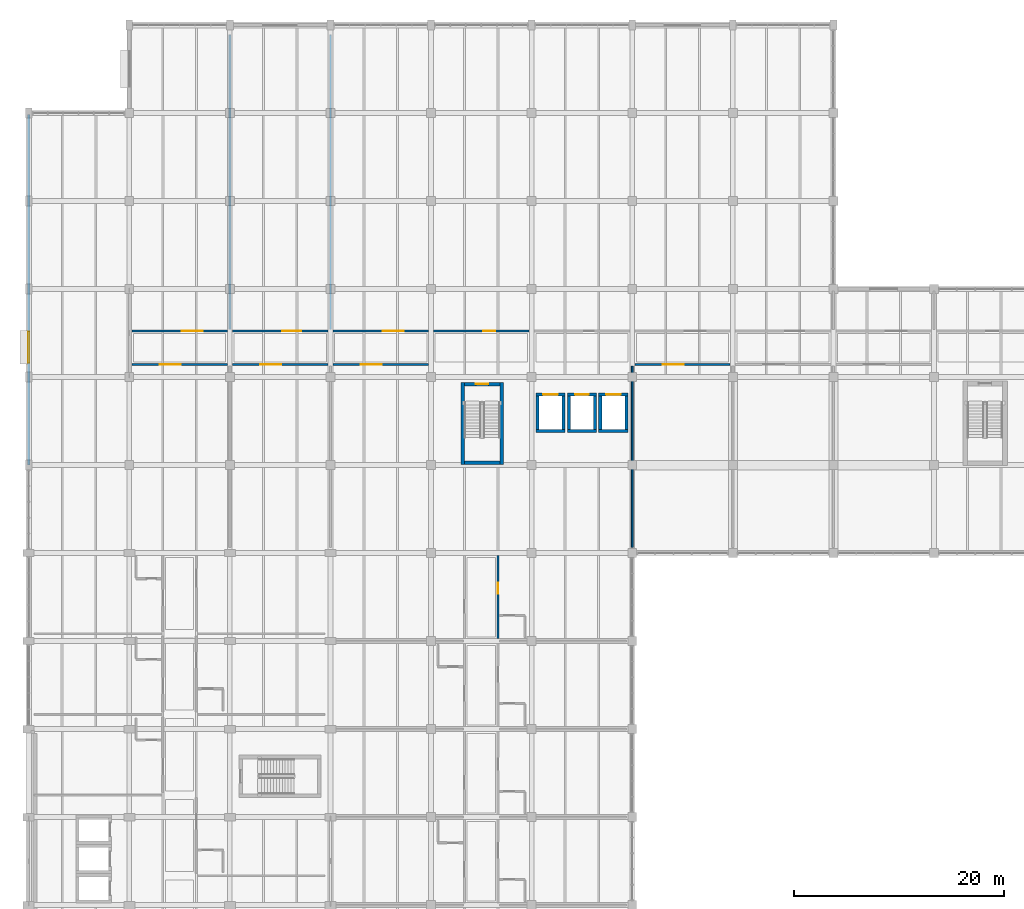
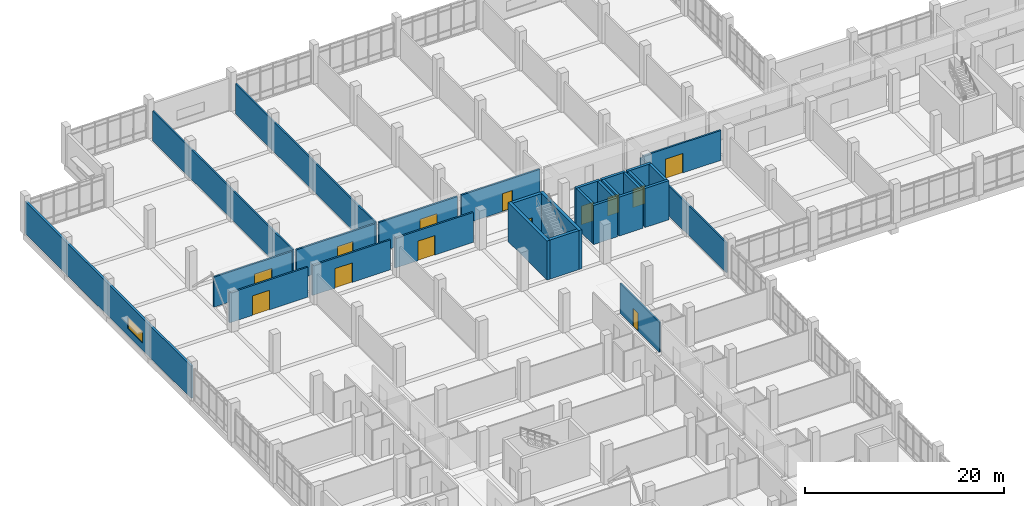
# One storey, part 123 of 152: 29 walls, 13 doors, 1 window, 14 openings.
"""IFC4 building model written with IfcOpenShell, lengths in metres."""

import ifcopenshell
import ifcopenshell.guid

model = None  # the IFC model being written
_history = None  # IfcOwnerHistory: only IFC2X3 demands one
_inside = {}  # id of a spatial element -> (the spatial element, [elements in it])
_under = {}  # id of a project, library or spatial element -> (it, [spatial elements below it])
_declared = {}  # id of a project -> (the project, [libraries it declares])
_typed = {}  # id of a type object -> (the type object, [elements of that type])
_made_of = {}  # id of a material, layer set ... -> (it, [elements and type objects made of it])


def new_model(schema):
    """Start an empty IFC model of exactly this schema.

    Asked for "IFC4X3", IfcOpenShell would pick the latest addendum, in which some entities
    have other attributes; the version numbers below select the first issue.
    IFC2X3 requires an IfcOwnerHistory on every rooted entity: one is made here for all.
    """
    global model, _history
    if schema == "IFC4X3":
        model = ifcopenshell.file(schema_version=(4, 3, 0, 0))
    else:
        model = ifcopenshell.file(schema=schema)
    _inside.clear()
    _under.clear()
    _declared.clear()
    _typed.clear()
    _made_of.clear()
    _history = None
    if model.schema == "IFC2X3":
        org = make("IfcOrganization", Name="unknown")
        user = make(
            "IfcPersonAndOrganization",
            ThePerson=make("IfcPerson", FamilyName="unknown"),
            TheOrganization=org,
        )
        app = make(
            "IfcApplication",
            ApplicationDeveloper=org,
            Version="unknown",
            ApplicationFullName="unknown",
            ApplicationIdentifier="unknown",
        )
        _history = make(
            "IfcOwnerHistory",
            OwningUser=user,
            OwningApplication=app,
            ChangeAction="ADDED",
            CreationDate=0,
        )
    return model


def make(cls, **values):
    """One entity of the class cls with the attributes given. An attribute that is None is left unset."""
    return model.create_entity(
        cls, **{name: value for name, value in values.items() if value is not None}
    )


def rooted(cls, **values):
    """An entity with a GlobalId (a new one), such as an element, a storey or a relation."""
    return make(cls, GlobalId=ifcopenshell.guid.new(), OwnerHistory=_history, **values)


def si_unit(unit_type, name, prefix=None):
    """IfcSIUnit, for example si_unit("LENGTHUNIT", "METRE", prefix="MILLI")."""
    return make("IfcSIUnit", UnitType=unit_type, Prefix=prefix, Name=name)


def assignment(units):
    """IfcUnitAssignment: the units of a project."""
    return None if units is None else make("IfcUnitAssignment", Units=units)


def point(xyz):
    """IfcCartesianPoint."""
    return None if xyz is None else make("IfcCartesianPoint", Coordinates=xyz)


def direction(xyz):
    """IfcDirection."""
    return None if xyz is None else make("IfcDirection", DirectionRatios=xyz)


def frame(location, z_axis=None, x_axis=None):
    """IfcAxis2Placement3D, a coordinate frame: its origin and axes. An axis left out is left unset."""
    return make(
        "IfcAxis2Placement3D",
        Location=point(location),
        Axis=direction(z_axis),
        RefDirection=direction(x_axis),
    )


def frame_2d(location, x_axis=None):
    """IfcAxis2Placement2D, a coordinate frame in the plane: its origin and x axis."""
    return make(
        "IfcAxis2Placement2D", Location=point(location), RefDirection=direction(x_axis)
    )


def origin():
    """The frame at (0, 0, 0) with its axes left unset."""
    return frame((0.0, 0.0, 0.0))


def place(relative_to, where):
    """IfcLocalPlacement: puts the frame where relative to a parent placement (None: the world)."""
    return make(
        "IfcLocalPlacement", PlacementRelTo=relative_to, RelativePlacement=where
    )


def context(
    kind, dimensions, precision=None, world=None, true_north=None, identifier=None
):
    """IfcGeometricRepresentationContext, for example the 3D "Model" context."""
    return make(
        "IfcGeometricRepresentationContext",
        ContextIdentifier=identifier,
        ContextType=kind,
        CoordinateSpaceDimension=dimensions,
        Precision=precision,
        WorldCoordinateSystem=world,
        TrueNorth=true_north,
    )


def subcontext(parent, identifier, kind, view, scale=None):
    """IfcGeometricRepresentationSubContext, for example "Body" below "Model"."""
    return make(
        "IfcGeometricRepresentationSubContext",
        ContextIdentifier=identifier,
        ContextType=kind,
        ParentContext=parent,
        TargetScale=scale,
        TargetView=view,
    )


def project(units=None, contexts=None):
    """IfcProject with its units and contexts."""
    return rooted(
        "IfcProject",
        Name="project",
        RepresentationContexts=contexts,
        UnitsInContext=assignment(units),
    )


def spatial(cls, under=None, at=None, **own):
    """A site, building, storey or space (cls), placed at a placement, below another one or the project."""
    s = rooted(cls, ObjectPlacement=at, **own)
    if under is not None:
        _under.setdefault(under.id(), (under, []))[1].append(s)
    return s


def profile(cls, at=None, kind="AREA", **sizes):
    """A parametric profile (cls). Its sizes go by their IFC names, for example OverallWidth=200.0."""
    return make(cls, ProfileType=kind, Position=at, **sizes)


def rectangle(**sizes):
    """IfcRectangleProfileDef."""
    return profile("IfcRectangleProfileDef", **sizes)


def extrude(swept, where, along, depth):
    """IfcExtrudedAreaSolid: the profile swept, set in the frame where, extruded along a direction by depth."""
    return make(
        "IfcExtrudedAreaSolid",
        SweptArea=swept,
        Position=where,
        ExtrudedDirection=direction(along),
        Depth=depth,
    )


def shape(context_of_items, identifier, shape_type, items):
    """IfcShapeRepresentation: the items that make up one representation, for example the "Body"."""
    return make(
        "IfcShapeRepresentation",
        ContextOfItems=context_of_items,
        RepresentationIdentifier=identifier,
        RepresentationType=shape_type,
        Items=items,
    )


def material(Name=None, Category=None):
    """IfcMaterial."""
    return make("IfcMaterial", Name=Name, Category=Category)


def layer(
    of_material, thickness, ventilated=None, Name=None, Category=None, Priority=None
):
    """IfcMaterialLayer: one layer of a wall or slab, of a material (None: an air gap)."""
    return make(
        "IfcMaterialLayer",
        Material=of_material,
        LayerThickness=thickness,
        IsVentilated=ventilated,
        Name=Name,
        Category=Category,
        Priority=Priority,
    )


def layer_set(layers, Name=None):
    """IfcMaterialLayerSet."""
    return make("IfcMaterialLayerSet", MaterialLayers=layers, LayerSetName=Name)


def made_of(thing, what):
    """Note that an element or type object is made of a material, layer set ...; save() writes the relation."""
    if what is not None:
        _made_of.setdefault(what.id(), (what, []))[1].append(thing)
    return thing


def type_object(cls, material=None, **own):
    """A type object (cls), such as IfcWallType, which elements share."""
    return made_of(rooted(cls, **own), material)


def element(
    cls,
    number,
    at=None,
    inside=None,
    cuts=None,
    type_object=None,
    material=None,
    context=None,
    identifier="Body",
    shape_type=None,
    held_by="IfcProductDefinitionShape",
    body=None,
    shapes=None,
    **own,
):
    """One element of the class cls, such as IfcWall. Its Tag is "e" and its number.

    at: its placement. inside: the storey or other place that contains it. cuts: it is an
    opening in that element (IfcRelVoidsElement). A single representation is given by context,
    identifier, shape_type and body (its items); several are given by shapes. held_by: the class
    of the entity that holds the representations. save() writes the other relations.
    """
    e = rooted(cls, Tag="e%d" % number, ObjectPlacement=at, **own)
    if body is not None:
        shapes = [shape(context, identifier, shape_type, body)]
    if shapes is not None:
        e.Representation = make(held_by, Representations=shapes)
    if inside is not None:
        _inside.setdefault(inside.id(), (inside, []))[1].append(e)
    if cuts is not None:
        rooted(
            "IfcRelVoidsElement", RelatingBuildingElement=cuts, RelatedOpeningElement=e
        )
    if type_object is not None:
        _typed.setdefault(type_object.id(), (type_object, []))[1].append(e)
    return made_of(e, material)


def fill(opening, filler):
    """IfcRelFillsElement: the door or window that sits in an opening."""
    return rooted(
        "IfcRelFillsElement",
        RelatingOpeningElement=opening,
        RelatedBuildingElement=filler,
    )


def aggregate(whole, parts):
    """IfcRelAggregates: a whole, such as a stair, and the parts it consists of."""
    return rooted("IfcRelAggregates", RelatingObject=whole, RelatedObjects=parts)


def save(model, path):
    """Write the relations noted so far, then the file.

    IfcRelAggregates (storeys below a building ...), IfcRelContainedInSpatialStructure (elements
    in a storey), IfcRelDefinesByType, IfcRelAssociatesMaterial and IfcRelDeclares: one each for
    every whole, place, type object, material and project.
    """
    for whole, parts in _under.values():
        aggregate(whole, parts)
    for where, things in _inside.values():
        rooted(
            "IfcRelContainedInSpatialStructure",
            RelatedElements=things,
            RelatingStructure=where,
        )
    for kind, things in _typed.values():
        rooted("IfcRelDefinesByType", RelatedObjects=things, RelatingType=kind)
    for what, things in _made_of.values():
        rooted("IfcRelAssociatesMaterial", RelatedObjects=things, RelatingMaterial=what)
    for by, libraries in _declared.values():
        rooted("IfcRelDeclares", RelatingContext=by, RelatedDefinitions=libraries)
    model.write(path)


model = new_model("IFC4")

# Units and contexts
model_context = context("Model", 3, precision=1e-05, world=origin(), true_north=direction((0.0, 1.0)))
body_context = subcontext(model_context, "Body", "Model", "MODEL_VIEW")
ifc_project = project(units=[si_unit("LENGTHUNIT", "METRE"), si_unit("AREAUNIT", "SQUARE_METRE"), si_unit("VOLUMEUNIT", "CUBIC_METRE"), si_unit("PLANEANGLEUNIT", "RADIAN"), si_unit("MASSUNIT", "GRAM", prefix="KILO")], contexts=[model_context])

# Site, building, storey
site_placement = place(None, origin())
site = spatial("IfcSite", under=ifc_project, at=site_placement, CompositionType="ELEMENT")
building_placement = place(site_placement, origin())
building = spatial("IfcBuilding", under=site, at=building_placement, Name="Oolite Switchyard Hospital", CompositionType="ELEMENT")
storey_placement = place(building_placement, frame((0.0, 0.0, 5.10009765625)))
storey = spatial("IfcBuildingStorey", under=building, at=storey_placement, Name="L01", CompositionType="ELEMENT", Elevation=5.10009765625)

# Wall, opening, window
ifc_material_1 = material(Name="Precast oolitic limestone architectural concrete C40/50", Category="masonry")
ifc_layer_1 = layer(ifc_material_1, 0.260009765625)
ifc_layer_set_1 = layer_set([ifc_layer_1], Name="WAL-EXT-260")
wall_type_1 = type_object("IfcWallType", Name="WAL-EXT-260", PredefinedType="SOLIDWALL", material=ifc_layer_set_1)
wall_1_placement = place(storey_placement, frame((0.0, 92.39990234375, 0.0), z_axis=(0.0, 0.0, 1.0), x_axis=(0.0, 1.0, 0.0)))
wall_1 = element("IfcWall", 1, at=wall_1_placement, inside=storey, type_object=wall_type_1, Name="L01 Exterior Spandrel Wall 104", PredefinedType="SOLIDWALL", context=body_context, shape_type="SweptSolid", body=[
    extrude(rectangle(XDim=33.440185546875, YDim=0.260009765625, at=frame_2d((16.72021484375, 0.0))), origin(), (0.0, 0.0, 1.0), 3.93994140625),
])
opening_1_placement = place(wall_1_placement, frame((9.740966796875, 0.0, 0.85009765625)))
opening_1 = element("IfcOpeningElement", 2, at=opening_1_placement, cuts=wall_1, Name="Opening WN-0040", PredefinedType="OPENING", context=body_context, shape_type="SweptSolid", body=[
    extrude(rectangle(XDim=3.0, YDim=1.39990234375, at=frame_2d((1.5, 0.699951171875))), frame((0.0, 0.14013671875, 0.0), z_axis=(0.0, -1.0, 0.0), x_axis=(1.0, 0.0, 0.0)), (0.0, 0.0, 1.0), 0.280029296875),
])
ifc_material_2 = material(Name="Thermally broken aluminum frame with laminated impact glazing", Category="aluminium")
window_type = type_object("IfcWindowType", Name="WIN-IMP-300X140", PartitioningType="SINGLE_PANEL", PredefinedType="WINDOW", material=ifc_material_2)
window_placement = place(opening_1_placement, origin())
window = element("IfcWindow", 3, at=window_placement, inside=storey, type_object=window_type, Name="L01 Hurricane Impact Window WN-0040", OverallHeight=1.39990234375, OverallWidth=3.0, PartitioningType="SINGLE_PANEL", PredefinedType="WINDOW", context=body_context, shape_type="SweptSolid", body=[
    extrude(rectangle(XDim=3.0, YDim=1.39990234375, at=frame_2d((1.5, 0.699951171875))), frame((0.0, 0.030029296875, 0.0), z_axis=(0.0, -1.0, 0.0), x_axis=(1.0, 0.0, 0.0)), (0.0, 0.0, 1.0), 0.06005859375),
])
fill(opening_1, window)

# Wall, opening, door
ifc_material_3 = material(Name="Moisture-resistant gypsum board on steel studs", Category="steel")
ifc_layer_2 = layer(ifc_material_3, 0.1650390625)
ifc_layer_set_2 = layer_set([ifc_layer_2], Name="WAL-PART-165")
wall_type_2 = type_object("IfcWallType", Name="WAL-PART-165", PredefinedType="PARTITIONING", material=ifc_layer_set_2)
wall_2_placement = place(storey_placement, frame((44.800048828125, 75.85009765625, 0.0), z_axis=(0.0, 0.0, 1.0), x_axis=(0.0, 1.0, 0.0)))
wall_2 = element("IfcWall", 4, at=wall_2_placement, inside=storey, type_object=wall_type_2, Name="L01 Interior Partition 271", PredefinedType="PARTITIONING", context=body_context, shape_type="SweptSolid", body=[
    extrude(rectangle(XDim=7.89990234375, YDim=0.1650390625, at=frame_2d((3.949951171875, 0.0))), origin(), (0.0, 0.0, 1.0), 3.679931640625),
])
opening_2_placement = place(wall_2_placement, frame((4.25, 0.0, 0.0)))
opening_2 = element("IfcOpeningElement", 5, at=opening_2_placement, cuts=wall_2, Name="Opening D-0158", PredefinedType="OPENING", context=body_context, shape_type="SweptSolid", body=[
    extrude(rectangle(XDim=1.050048828125, YDim=2.199951171875, at=frame_2d((0.52490234375, 1.10009765625))), frame((0.0, 0.092529296875, 0.0), z_axis=(0.0, -1.0, 0.0), x_axis=(1.0, 0.0, 0.0)), (0.0, 0.0, 1.0), 0.18505859375),
])
ifc_material_4 = material(Name="Solid-core antimicrobial hardwood leaf in steel frame", Category="steel")
door_type_1 = type_object("IfcDoorType", Name="DR-DUTY-105X220", OperationType="NOTDEFINED", PredefinedType="DOOR", material=ifc_material_4)
door_1_placement = place(opening_2_placement, origin())
door_1 = element("IfcDoor", 6, at=door_1_placement, inside=storey, type_object=door_type_1, Name="L01 Interior Door D-0158", OperationType="SINGLE_SWING_LEFT", OverallHeight=2.199951171875, OverallWidth=1.050048828125, PredefinedType="DOOR", context=body_context, shape_type="SweptSolid", body=[
    extrude(rectangle(XDim=1.050048828125, YDim=2.199951171875, at=frame_2d((0.52490234375, 1.10009765625))), frame((0.0, 0.02490234375, 0.0), z_axis=(0.0, -1.0, 0.0), x_axis=(1.0, 0.0, 0.0)), (0.0, 0.0, 1.0), 0.050048828125),
])
fill(opening_2, door_1)

# Walls
ifc_layer_3 = layer(ifc_material_3, 0.179931640625)
ifc_layer_set_3 = layer_set([ifc_layer_3], Name="WAL-PART-180")
wall_type_3 = type_object("IfcWallType", Name="WAL-PART-180", PredefinedType="PARTITIONING", material=ifc_layer_set_3)
for number, where, z_axis, x_axis, name in (
    (7, (19.199951171875, 105.35009765625, 0.0), (0.0, 0.0, 1.0), (0.0, 1.0, 0.0), "L01 Interior Partition 167"),
    (8, (28.800048828125, 105.35009765625, 0.0), (0.0, 0.0, 1.0), (0.0, 1.0, 0.0), "L01 Interior Partition 171"),
):
    element("IfcWall", number, at=place(storey_placement, frame(where, z_axis=z_axis, x_axis=x_axis)), inside=storey, type_object=wall_type_3, Name=name, PredefinedType="PARTITIONING", context=body_context, shape_type="SweptSolid", body=[
        extrude(rectangle(XDim=28.099853515625, YDim=0.179931640625, at=frame_2d((14.0498046875, 0.0))), origin(), (0.0, 0.0, 1.0), 3.679931640625),
    ])
wall_3_placement = place(storey_placement, frame((57.60009765625, 84.550048828125, 0.0), z_axis=(0.0, 0.0, 1.0), x_axis=(0.0, 1.0, 0.0)))
element("IfcWall", 9, at=wall_3_placement, inside=storey, type_object=wall_type_3, Name="L01 Interior Partition 177", PredefinedType="PARTITIONING", context=body_context, shape_type="SweptSolid", body=[
    extrude(rectangle(XDim=17.300048828125, YDim=0.179931640625, at=frame_2d((8.64990234375, 0.0))), origin(), (0.0, 0.0, 1.0), 3.679931640625),
])
ifc_material_5 = material(Name="Concrete C50/60", Category="concrete")
ifc_layer_4 = layer(ifc_material_5, 0.300048828125)
ifc_layer_set_4 = layer_set([ifc_layer_4], Name="WAL-SHR-300")
wall_type_4 = type_object("IfcWallType", Name="WAL-SHR-300", PredefinedType="SHEAR", material=ifc_layer_set_4)
wall_4_placement = place(storey_placement, frame((48.39990234375, 95.64990234375, 0.0), z_axis=(0.0, 0.0, 1.0), x_axis=(1.0, 0.0, 0.0)))
element("IfcWall", 10, at=wall_4_placement, inside=storey, type_object=wall_type_4, Name="L01 Lift Shaft Shear Wall EL-08", PredefinedType="SHEAR", context=body_context, shape_type="SweptSolid", body=[
    extrude(rectangle(XDim=2.800048828125, YDim=0.300048828125, at=frame_2d((1.39990234375, 0.0))), origin(), (0.0, 0.0, 1.0), 4.7998046875),
])
wall_5_placement = place(storey_placement, frame((51.050048828125, 95.800048828125, 0.0), z_axis=(0.0, 0.0, 1.0), x_axis=(0.0, 1.0, 0.0)))
element("IfcWall", 11, at=wall_5_placement, inside=storey, type_object=wall_type_4, Name="L01 Lift Shaft Shear Wall EL-08", PredefinedType="SHEAR", context=body_context, shape_type="SweptSolid", body=[
    extrude(rectangle(XDim=3.199951171875, YDim=0.300048828125, at=frame_2d((1.60009765625, 0.0))), origin(), (0.0, 0.0, 1.0), 4.7998046875),
])

# Wall, opening, door
wall_6_placement = place(storey_placement, frame((51.199951171875, 99.14990234375, 0.0), z_axis=(0.0, 0.0, 1.0), x_axis=(-1.0, 0.0, 0.0)))
wall_6 = element("IfcWall", 12, at=wall_6_placement, inside=storey, type_object=wall_type_4, Name="L01 Lift Shaft Shear Wall EL-08", PredefinedType="SHEAR", context=body_context, shape_type="SweptSolid", body=[
    extrude(rectangle(XDim=2.800048828125, YDim=0.300048828125, at=frame_2d((1.39990234375, 0.0))), origin(), (0.0, 0.0, 1.0), 4.7998046875),
])
opening_3_placement = place(wall_6_placement, frame((0.699951171875, 0.0, 0.0)))
opening_3 = element("IfcOpeningElement", 13, at=opening_3_placement, cuts=wall_6, Name="Opening LD-057", PredefinedType="OPENING", context=body_context, shape_type="SweptSolid", body=[
    extrude(rectangle(XDim=1.39990234375, YDim=2.300048828125, at=frame_2d((0.699951171875, 1.14990234375))), frame((0.0, 0.16015625, 0.0), z_axis=(0.0, -1.0, 0.0), x_axis=(1.0, 0.0, 0.0)), (0.0, 0.0, 1.0), 0.320068359375),
])
ifc_material_6 = material(Name="Brushed stainless steel fire-rated sliding landing door", Category="steel")
door_type_2 = type_object("IfcDoorType", Name="DR-LD-140X230", OperationType="NOTDEFINED", PredefinedType="DOOR", material=ifc_material_6)
door_2_placement = place(opening_3_placement, origin())
door_2 = element("IfcDoor", 14, at=door_2_placement, inside=storey, type_object=door_type_2, Name="L01 EL-08 Lift Landing Door LD-057", OperationType="SLIDING_TO_LEFT", OverallHeight=2.300048828125, OverallWidth=1.39990234375, PredefinedType="DOOR", context=body_context, shape_type="SweptSolid", body=[
    extrude(rectangle(XDim=1.39990234375, YDim=2.300048828125, at=frame_2d((0.699951171875, 1.14990234375))), frame((0.0, 0.02490234375, 0.0), z_axis=(0.0, -1.0, 0.0), x_axis=(1.0, 0.0, 0.0)), (0.0, 0.0, 1.0), 0.050048828125),
])
fill(opening_3, door_2)

# Walls
wall_7_placement = place(storey_placement, frame((48.550048828125, 99.0, 0.0), z_axis=(0.0, 0.0, 1.0), x_axis=(0.0, -1.0, 0.0)))
element("IfcWall", 15, at=wall_7_placement, inside=storey, type_object=wall_type_4, Name="L01 Lift Shaft Shear Wall EL-08", PredefinedType="SHEAR", context=body_context, shape_type="SweptSolid", body=[
    extrude(rectangle(XDim=3.199951171875, YDim=0.300048828125, at=frame_2d((1.60009765625, 0.0))), origin(), (0.0, 0.0, 1.0), 4.7998046875),
])
wall_8_placement = place(storey_placement, frame((51.39990234375, 95.64990234375, 0.0), z_axis=(0.0, 0.0, 1.0), x_axis=(1.0, 0.0, 0.0)))
element("IfcWall", 16, at=wall_8_placement, inside=storey, type_object=wall_type_4, Name="L01 Lift Shaft Shear Wall EL-09", PredefinedType="SHEAR", context=body_context, shape_type="SweptSolid", body=[
    extrude(rectangle(XDim=2.800048828125, YDim=0.300048828125, at=frame_2d((1.39990234375, 0.0))), origin(), (0.0, 0.0, 1.0), 4.7998046875),
])
wall_9_placement = place(storey_placement, frame((54.050048828125, 95.800048828125, 0.0), z_axis=(0.0, 0.0, 1.0), x_axis=(0.0, 1.0, 0.0)))
element("IfcWall", 17, at=wall_9_placement, inside=storey, type_object=wall_type_4, Name="L01 Lift Shaft Shear Wall EL-09", PredefinedType="SHEAR", context=body_context, shape_type="SweptSolid", body=[
    extrude(rectangle(XDim=3.199951171875, YDim=0.300048828125, at=frame_2d((1.60009765625, 0.0))), origin(), (0.0, 0.0, 1.0), 4.7998046875),
])

# Wall, opening, door
wall_10_placement = place(storey_placement, frame((54.199951171875, 99.14990234375, 0.0), z_axis=(0.0, 0.0, 1.0), x_axis=(-1.0, 0.0, 0.0)))
wall_10 = element("IfcWall", 18, at=wall_10_placement, inside=storey, type_object=wall_type_4, Name="L01 Lift Shaft Shear Wall EL-09", PredefinedType="SHEAR", context=body_context, shape_type="SweptSolid", body=[
    extrude(rectangle(XDim=2.800048828125, YDim=0.300048828125, at=frame_2d((1.39990234375, 0.0))), origin(), (0.0, 0.0, 1.0), 4.7998046875),
])
opening_4_placement = place(wall_10_placement, frame((0.75, 0.0, 0.0)))
opening_4 = element("IfcOpeningElement", 19, at=opening_4_placement, cuts=wall_10, Name="Opening LD-061", PredefinedType="OPENING", context=body_context, shape_type="SweptSolid", body=[
    extrude(rectangle(XDim=1.300048828125, YDim=2.300048828125, at=frame_2d((0.64990234375, 1.14990234375))), frame((0.0, 0.16015625, 0.0), z_axis=(0.0, -1.0, 0.0), x_axis=(1.0, 0.0, 0.0)), (0.0, 0.0, 1.0), 0.320068359375),
])
door_type_3 = type_object("IfcDoorType", Name="DR-LD-130X230", OperationType="NOTDEFINED", PredefinedType="DOOR", material=ifc_material_6)
door_3_placement = place(opening_4_placement, origin())
door_3 = element("IfcDoor", 20, at=door_3_placement, inside=storey, type_object=door_type_3, Name="L01 EL-09 Lift Landing Door LD-061", OperationType="SLIDING_TO_LEFT", OverallHeight=2.300048828125, OverallWidth=1.300048828125, PredefinedType="DOOR", context=body_context, shape_type="SweptSolid", body=[
    extrude(rectangle(XDim=1.300048828125, YDim=2.300048828125, at=frame_2d((0.64990234375, 1.14990234375))), frame((0.0, 0.02490234375, 0.0), z_axis=(0.0, -1.0, 0.0), x_axis=(1.0, 0.0, 0.0)), (0.0, 0.0, 1.0), 0.050048828125),
])
fill(opening_4, door_3)

# Walls
wall_11_placement = place(storey_placement, frame((51.550048828125, 99.0, 0.0), z_axis=(0.0, 0.0, 1.0), x_axis=(0.0, -1.0, 0.0)))
element("IfcWall", 21, at=wall_11_placement, inside=storey, type_object=wall_type_4, Name="L01 Lift Shaft Shear Wall EL-09", PredefinedType="SHEAR", context=body_context, shape_type="SweptSolid", body=[
    extrude(rectangle(XDim=3.199951171875, YDim=0.300048828125, at=frame_2d((1.60009765625, 0.0))), origin(), (0.0, 0.0, 1.0), 4.7998046875),
])
wall_12_placement = place(storey_placement, frame((54.39990234375, 95.64990234375, 0.0), z_axis=(0.0, 0.0, 1.0), x_axis=(1.0, 0.0, 0.0)))
element("IfcWall", 22, at=wall_12_placement, inside=storey, type_object=wall_type_4, Name="L01 Lift Shaft Shear Wall EL-10", PredefinedType="SHEAR", context=body_context, shape_type="SweptSolid", body=[
    extrude(rectangle(XDim=2.800048828125, YDim=0.300048828125, at=frame_2d((1.39990234375, 0.0))), origin(), (0.0, 0.0, 1.0), 4.7998046875),
])
wall_13_placement = place(storey_placement, frame((57.050048828125, 95.800048828125, 0.0), z_axis=(0.0, 0.0, 1.0), x_axis=(0.0, 1.0, 0.0)))
element("IfcWall", 23, at=wall_13_placement, inside=storey, type_object=wall_type_4, Name="L01 Lift Shaft Shear Wall EL-10", PredefinedType="SHEAR", context=body_context, shape_type="SweptSolid", body=[
    extrude(rectangle(XDim=3.199951171875, YDim=0.300048828125, at=frame_2d((1.60009765625, 0.0))), origin(), (0.0, 0.0, 1.0), 4.7998046875),
])

# Wall, opening, door
wall_14_placement = place(storey_placement, frame((57.199951171875, 99.14990234375, 0.0), z_axis=(0.0, 0.0, 1.0), x_axis=(-1.0, 0.0, 0.0)))
wall_14 = element("IfcWall", 24, at=wall_14_placement, inside=storey, type_object=wall_type_4, Name="L01 Lift Shaft Shear Wall EL-10", PredefinedType="SHEAR", context=body_context, shape_type="SweptSolid", body=[
    extrude(rectangle(XDim=2.800048828125, YDim=0.300048828125, at=frame_2d((1.39990234375, 0.0))), origin(), (0.0, 0.0, 1.0), 4.7998046875),
])
opening_5_placement = place(wall_14_placement, frame((0.699951171875, 0.0, 0.0)))
opening_5 = element("IfcOpeningElement", 25, at=opening_5_placement, cuts=wall_14, Name="Opening LD-065", PredefinedType="OPENING", context=body_context, shape_type="SweptSolid", body=[
    extrude(rectangle(XDim=1.39990234375, YDim=2.300048828125, at=frame_2d((0.699951171875, 1.14990234375))), frame((0.0, 0.16015625, 0.0), z_axis=(0.0, -1.0, 0.0), x_axis=(1.0, 0.0, 0.0)), (0.0, 0.0, 1.0), 0.320068359375),
])
door_4_placement = place(opening_5_placement, origin())
door_4 = element("IfcDoor", 26, at=door_4_placement, inside=storey, type_object=door_type_2, Name="L01 EL-10 Lift Landing Door LD-065", OperationType="SLIDING_TO_LEFT", OverallHeight=2.300048828125, OverallWidth=1.39990234375, PredefinedType="DOOR", context=body_context, shape_type="SweptSolid", body=[
    extrude(rectangle(XDim=1.39990234375, YDim=2.300048828125, at=frame_2d((0.699951171875, 1.14990234375))), frame((0.0, 0.02490234375, 0.0), z_axis=(0.0, -1.0, 0.0), x_axis=(1.0, 0.0, 0.0)), (0.0, 0.0, 1.0), 0.050048828125),
])
fill(opening_5, door_4)

# Walls
wall_15_placement = place(storey_placement, frame((54.550048828125, 99.0, 0.0), z_axis=(0.0, 0.0, 1.0), x_axis=(0.0, -1.0, 0.0)))
element("IfcWall", 27, at=wall_15_placement, inside=storey, type_object=wall_type_4, Name="L01 Lift Shaft Shear Wall EL-10", PredefinedType="SHEAR", context=body_context, shape_type="SweptSolid", body=[
    extrude(rectangle(XDim=3.199951171875, YDim=0.300048828125, at=frame_2d((1.60009765625, 0.0))), origin(), (0.0, 0.0, 1.0), 4.7998046875),
])
ifc_layer_5 = layer(ifc_material_5, 0.35009765625)
ifc_layer_set_5 = layer_set([ifc_layer_5], Name="WAL-SHR-350")
wall_type_5 = type_object("IfcWallType", Name="WAL-SHR-350", PredefinedType="SHEAR", material=ifc_layer_set_5)
wall_16_placement = place(storey_placement, frame((41.425048828125, 100.300048828125, 0.0), z_axis=(0.0, 0.0, 1.0), x_axis=(0.0, -1.0, 0.0)))
element("IfcWall", 28, at=wall_16_placement, inside=storey, type_object=wall_type_5, Name="L01 Core Shear Wall ST-07", PredefinedType="SHEAR", context=body_context, shape_type="SweptSolid", body=[
    extrude(rectangle(XDim=7.85009765625, YDim=0.35009765625, at=frame_2d((3.925048828125, 0.0))), origin(), (0.0, 0.0, 1.0), 4.7998046875),
])
wall_17_placement = place(storey_placement, frame((41.60009765625, 92.625, 0.0), z_axis=(0.0, 0.0, 1.0), x_axis=(1.0, 0.0, 0.0)))
element("IfcWall", 29, at=wall_17_placement, inside=storey, type_object=wall_type_5, Name="L01 Core Shear Wall ST-07", PredefinedType="SHEAR", context=body_context, shape_type="SweptSolid", body=[
    extrude(rectangle(XDim=3.35986328125, YDim=0.35009765625, at=frame_2d((1.679931640625, 0.0))), origin(), (0.0, 0.0, 1.0), 4.7998046875),
])
wall_18_placement = place(storey_placement, frame((45.135009765625, 92.449951171875, 0.0), z_axis=(0.0, 0.0, 1.0), x_axis=(0.0, 1.0, 0.0)))
element("IfcWall", 30, at=wall_18_placement, inside=storey, type_object=wall_type_5, Name="L01 Core Shear Wall ST-07", PredefinedType="SHEAR", context=body_context, shape_type="SweptSolid", body=[
    extrude(rectangle(XDim=7.85009765625, YDim=0.35009765625, at=frame_2d((3.925048828125, 0.0))), origin(), (0.0, 0.0, 1.0), 4.7998046875),
])

# Wall, opening, door
wall_19_placement = place(storey_placement, frame((44.9599609375, 100.125, 0.0), z_axis=(0.0, 0.0, 1.0), x_axis=(-1.0, 0.0, 0.0)))
wall_19 = element("IfcWall", 31, at=wall_19_placement, inside=storey, type_object=wall_type_5, Name="L01 Core Shear Wall ST-07", PredefinedType="SHEAR", context=body_context, shape_type="SweptSolid", body=[
    extrude(rectangle(XDim=3.35986328125, YDim=0.35009765625, at=frame_2d((1.679931640625, 0.0))), origin(), (0.0, 0.0, 1.0), 4.7998046875),
])
opening_6_placement = place(wall_19_placement, frame((1.080078125, 0.0, 0.0)))
opening_6 = element("IfcOpeningElement", 32, at=opening_6_placement, cuts=wall_19, Name="Opening SD-044", PredefinedType="OPENING", context=body_context, shape_type="SweptSolid", body=[
    extrude(rectangle(XDim=1.199951171875, YDim=2.199951171875, at=frame_2d((0.60009765625, 1.10009765625))), frame((0.0, 0.18505859375, 0.0), z_axis=(0.0, -1.0, 0.0), x_axis=(1.0, 0.0, 0.0)), (0.0, 0.0, 1.0), 0.3701171875),
])
ifc_material_7 = material(Name="Hollow metal fire-rated steel door assembly", Category="steel")
door_type_4 = type_object("IfcDoorType", Name="DR-STR-120X220", OperationType="NOTDEFINED", PredefinedType="DOOR", material=ifc_material_7)
door_5_placement = place(opening_6_placement, origin())
door_5 = element("IfcDoor", 33, at=door_5_placement, inside=storey, type_object=door_type_4, Name="L01 ST-07 Exit Stair Door SD-044", OperationType="SINGLE_SWING_RIGHT", OverallHeight=2.199951171875, OverallWidth=1.199951171875, PredefinedType="DOOR", context=body_context, shape_type="SweptSolid", body=[
    extrude(rectangle(XDim=1.199951171875, YDim=2.199951171875, at=frame_2d((0.60009765625, 1.10009765625))), frame((0.0, 0.02490234375, 0.0), z_axis=(0.0, -1.0, 0.0), x_axis=(1.0, 0.0, 0.0)), (0.0, 0.0, 1.0), 0.050048828125),
])
fill(opening_6, door_5)

ifc_layer_6 = layer(ifc_material_3, 0.199951171875)
ifc_layer_set_6 = layer_set([ifc_layer_6], Name="WAL-SMK-200")
wall_type_6 = type_object("IfcWallType", Name="WAL-SMK-200", PredefinedType="PARTITIONING", material=ifc_layer_set_6)
wall_20_placement = place(storey_placement, frame((9.85009765625, 102.0, 0.0), z_axis=(0.0, 0.0, 1.0), x_axis=(1.0, 0.0, 0.0)))
wall_20 = element("IfcWall", 34, at=wall_20_placement, inside=storey, type_object=wall_type_6, Name="L01 Interior Partition 162", PredefinedType="PARTITIONING", context=body_context, shape_type="SweptSolid", body=[
    extrude(rectangle(XDim=9.099853515625, YDim=0.199951171875, at=frame_2d((4.5498046875, 0.0))), origin(), (0.0, 0.0, 1.0), 3.679931640625),
])
opening_7_placement = place(wall_20_placement, frame((2.64990234375, 0.0, 0.0)))
opening_7 = element("IfcOpeningElement", 35, at=opening_7_placement, cuts=wall_20, Name="Opening D-0100", PredefinedType="OPENING", context=body_context, shape_type="SweptSolid", body=[
    extrude(rectangle(XDim=2.0, YDim=2.39990234375, at=frame_2d((1.0, 1.199951171875))), frame((0.0, 0.10986328125, 0.0), z_axis=(0.0, -1.0, 0.0), x_axis=(1.0, 0.0, 0.0)), (0.0, 0.0, 1.0), 0.219970703125),
])
door_type_5 = type_object("IfcDoorType", Name="DR-OR-200X240", OperationType="NOTDEFINED", PredefinedType="DOOR", material=ifc_material_7)
door_6_placement = place(opening_7_placement, origin())
door_6 = element("IfcDoor", 36, at=door_6_placement, inside=storey, type_object=door_type_5, Name="L01 Interior Door D-0100", OperationType="DOUBLE_DOOR_SINGLE_SWING", OverallHeight=2.39990234375, OverallWidth=2.0, PredefinedType="DOOR", context=body_context, shape_type="SweptSolid", body=[
    extrude(rectangle(XDim=2.0, YDim=2.39990234375, at=frame_2d((1.0, 1.199951171875))), frame((0.0, 0.02490234375, 0.0), z_axis=(0.0, -1.0, 0.0), x_axis=(1.0, 0.0, 0.0)), (0.0, 0.0, 1.0), 0.050048828125),
])
fill(opening_7, door_6)

wall_21_placement = place(storey_placement, frame((9.85009765625, 105.199951171875, 0.0), z_axis=(0.0, 0.0, 1.0), x_axis=(1.0, 0.0, 0.0)))
wall_21 = element("IfcWall", 37, at=wall_21_placement, inside=storey, type_object=wall_type_6, Name="L01 Interior Partition 163", PredefinedType="PARTITIONING", context=body_context, shape_type="SweptSolid", body=[
    extrude(rectangle(XDim=9.099853515625, YDim=0.199951171875, at=frame_2d((4.5498046875, 0.0))), origin(), (0.0, 0.0, 1.0), 3.679931640625),
])
opening_8_placement = place(wall_21_placement, frame((4.75, 0.0, 0.0)))
opening_8 = element("IfcOpeningElement", 38, at=opening_8_placement, cuts=wall_21, Name="Opening D-0101", PredefinedType="OPENING", context=body_context, shape_type="SweptSolid", body=[
    extrude(rectangle(XDim=2.0, YDim=2.39990234375, at=frame_2d((1.0, 1.199951171875))), frame((0.0, 0.10986328125, 0.0), z_axis=(0.0, -1.0, 0.0), x_axis=(1.0, 0.0, 0.0)), (0.0, 0.0, 1.0), 0.219970703125),
])
door_7_placement = place(opening_8_placement, origin())
door_7 = element("IfcDoor", 39, at=door_7_placement, inside=storey, type_object=door_type_5, Name="L01 Interior Door D-0101", OperationType="DOUBLE_DOOR_SINGLE_SWING", OverallHeight=2.39990234375, OverallWidth=2.0, PredefinedType="DOOR", context=body_context, shape_type="SweptSolid", body=[
    extrude(rectangle(XDim=2.0, YDim=2.39990234375, at=frame_2d((1.0, 1.199951171875))), frame((0.0, 0.02490234375, 0.0), z_axis=(0.0, -1.0, 0.0), x_axis=(1.0, 0.0, 0.0)), (0.0, 0.0, 1.0), 0.050048828125),
])
fill(opening_8, door_7)

wall_22_placement = place(storey_placement, frame((19.449951171875, 102.0, 0.0), z_axis=(0.0, 0.0, 1.0), x_axis=(1.0, 0.0, 0.0)))
wall_22 = element("IfcWall", 40, at=wall_22_placement, inside=storey, type_object=wall_type_6, Name="L01 Interior Partition 164", PredefinedType="PARTITIONING", context=body_context, shape_type="SweptSolid", body=[
    extrude(rectangle(XDim=9.10009765625, YDim=0.199951171875, at=frame_2d((4.550048828125, 0.0))), origin(), (0.0, 0.0, 1.0), 3.679931640625),
])
opening_9_placement = place(wall_22_placement, frame((2.64990234375, 0.0, 0.0)))
opening_9 = element("IfcOpeningElement", 41, at=opening_9_placement, cuts=wall_22, Name="Opening D-0102", PredefinedType="OPENING", context=body_context, shape_type="SweptSolid", body=[
    extrude(rectangle(XDim=2.0, YDim=2.39990234375, at=frame_2d((1.0, 1.199951171875))), frame((0.0, 0.10986328125, 0.0), z_axis=(0.0, -1.0, 0.0), x_axis=(1.0, 0.0, 0.0)), (0.0, 0.0, 1.0), 0.219970703125),
])
door_8_placement = place(opening_9_placement, origin())
door_8 = element("IfcDoor", 42, at=door_8_placement, inside=storey, type_object=door_type_5, Name="L01 Interior Door D-0102", OperationType="DOUBLE_DOOR_SINGLE_SWING", OverallHeight=2.39990234375, OverallWidth=2.0, PredefinedType="DOOR", context=body_context, shape_type="SweptSolid", body=[
    extrude(rectangle(XDim=2.0, YDim=2.39990234375, at=frame_2d((1.0, 1.199951171875))), frame((0.0, 0.02490234375, 0.0), z_axis=(0.0, -1.0, 0.0), x_axis=(1.0, 0.0, 0.0)), (0.0, 0.0, 1.0), 0.050048828125),
])
fill(opening_9, door_8)

wall_23_placement = place(storey_placement, frame((19.449951171875, 105.199951171875, 0.0), z_axis=(0.0, 0.0, 1.0), x_axis=(1.0, 0.0, 0.0)))
wall_23 = element("IfcWall", 43, at=wall_23_placement, inside=storey, type_object=wall_type_6, Name="L01 Interior Partition 166", PredefinedType="PARTITIONING", context=body_context, shape_type="SweptSolid", body=[
    extrude(rectangle(XDim=9.10009765625, YDim=0.199951171875, at=frame_2d((4.550048828125, 0.0))), origin(), (0.0, 0.0, 1.0), 3.679931640625),
])
opening_10_placement = place(wall_23_placement, frame((4.75, 0.0, 0.0)))
opening_10 = element("IfcOpeningElement", 44, at=opening_10_placement, cuts=wall_23, Name="Opening D-0103", PredefinedType="OPENING", context=body_context, shape_type="SweptSolid", body=[
    extrude(rectangle(XDim=1.800048828125, YDim=2.39990234375, at=frame_2d((0.89990234375, 1.199951171875))), frame((0.0, 0.10986328125, 0.0), z_axis=(0.0, -1.0, 0.0), x_axis=(1.0, 0.0, 0.0)), (0.0, 0.0, 1.0), 0.219970703125),
])
door_type_6 = type_object("IfcDoorType", Name="DR-OR-180X240", OperationType="NOTDEFINED", PredefinedType="DOOR", material=ifc_material_7)
door_9_placement = place(opening_10_placement, origin())
door_9 = element("IfcDoor", 45, at=door_9_placement, inside=storey, type_object=door_type_6, Name="L01 Interior Door D-0103", OperationType="DOUBLE_DOOR_SINGLE_SWING", OverallHeight=2.39990234375, OverallWidth=1.800048828125, PredefinedType="DOOR", context=body_context, shape_type="SweptSolid", body=[
    extrude(rectangle(XDim=1.800048828125, YDim=2.39990234375, at=frame_2d((0.89990234375, 1.199951171875))), frame((0.0, 0.02490234375, 0.0), z_axis=(0.0, -1.0, 0.0), x_axis=(1.0, 0.0, 0.0)), (0.0, 0.0, 1.0), 0.050048828125),
])
fill(opening_10, door_9)

wall_24_placement = place(storey_placement, frame((29.050048828125, 102.0, 0.0), z_axis=(0.0, 0.0, 1.0), x_axis=(1.0, 0.0, 0.0)))
wall_24 = element("IfcWall", 46, at=wall_24_placement, inside=storey, type_object=wall_type_6, Name="L01 Interior Partition 168", PredefinedType="PARTITIONING", context=body_context, shape_type="SweptSolid", body=[
    extrude(rectangle(XDim=9.099853515625, YDim=0.199951171875, at=frame_2d((4.5498046875, 0.0))), origin(), (0.0, 0.0, 1.0), 3.679931640625),
])
opening_11_placement = place(wall_24_placement, frame((2.64990234375, 0.0, 0.0)))
opening_11 = element("IfcOpeningElement", 47, at=opening_11_placement, cuts=wall_24, Name="Opening D-0104", PredefinedType="OPENING", context=body_context, shape_type="SweptSolid", body=[
    extrude(rectangle(XDim=2.0, YDim=2.39990234375, at=frame_2d((1.0, 1.199951171875))), frame((0.0, 0.10986328125, 0.0), z_axis=(0.0, -1.0, 0.0), x_axis=(1.0, 0.0, 0.0)), (0.0, 0.0, 1.0), 0.219970703125),
])
door_10_placement = place(opening_11_placement, origin())
door_10 = element("IfcDoor", 48, at=door_10_placement, inside=storey, type_object=door_type_5, Name="L01 Interior Door D-0104", OperationType="DOUBLE_DOOR_SINGLE_SWING", OverallHeight=2.39990234375, OverallWidth=2.0, PredefinedType="DOOR", context=body_context, shape_type="SweptSolid", body=[
    extrude(rectangle(XDim=2.0, YDim=2.39990234375, at=frame_2d((1.0, 1.199951171875))), frame((0.0, 0.02490234375, 0.0), z_axis=(0.0, -1.0, 0.0), x_axis=(1.0, 0.0, 0.0)), (0.0, 0.0, 1.0), 0.050048828125),
])
fill(opening_11, door_10)

wall_25_placement = place(storey_placement, frame((29.050048828125, 105.199951171875, 0.0), z_axis=(0.0, 0.0, 1.0), x_axis=(1.0, 0.0, 0.0)))
wall_25 = element("IfcWall", 49, at=wall_25_placement, inside=storey, type_object=wall_type_6, Name="L01 Interior Partition 170", PredefinedType="PARTITIONING", context=body_context, shape_type="SweptSolid", body=[
    extrude(rectangle(XDim=9.099853515625, YDim=0.199951171875, at=frame_2d((4.5498046875, 0.0))), origin(), (0.0, 0.0, 1.0), 3.679931640625),
])
opening_12_placement = place(wall_25_placement, frame((4.75, 0.0, 0.0)))
opening_12 = element("IfcOpeningElement", 50, at=opening_12_placement, cuts=wall_25, Name="Opening D-0105", PredefinedType="OPENING", context=body_context, shape_type="SweptSolid", body=[
    extrude(rectangle(XDim=2.0, YDim=2.39990234375, at=frame_2d((1.0, 1.199951171875))), frame((0.0, 0.10986328125, 0.0), z_axis=(0.0, -1.0, 0.0), x_axis=(1.0, 0.0, 0.0)), (0.0, 0.0, 1.0), 0.219970703125),
])
door_11_placement = place(opening_12_placement, origin())
door_11 = element("IfcDoor", 51, at=door_11_placement, inside=storey, type_object=door_type_5, Name="L01 Interior Door D-0105", OperationType="DOUBLE_DOOR_SINGLE_SWING", OverallHeight=2.39990234375, OverallWidth=2.0, PredefinedType="DOOR", context=body_context, shape_type="SweptSolid", body=[
    extrude(rectangle(XDim=2.0, YDim=2.39990234375, at=frame_2d((1.0, 1.199951171875))), frame((0.0, 0.02490234375, 0.0), z_axis=(0.0, -1.0, 0.0), x_axis=(1.0, 0.0, 0.0)), (0.0, 0.0, 1.0), 0.050048828125),
])
fill(opening_12, door_11)

wall_26_placement = place(storey_placement, frame((38.64990234375, 105.199951171875, 0.0), z_axis=(0.0, 0.0, 1.0), x_axis=(1.0, 0.0, 0.0)))
wall_26 = element("IfcWall", 52, at=wall_26_placement, inside=storey, type_object=wall_type_6, Name="L01 Interior Partition 172", PredefinedType="PARTITIONING", context=body_context, shape_type="SweptSolid", body=[
    extrude(rectangle(XDim=9.10009765625, YDim=0.199951171875, at=frame_2d((4.550048828125, 0.0))), origin(), (0.0, 0.0, 1.0), 3.679931640625),
])
opening_13_placement = place(wall_26_placement, frame((4.75, 0.0, 0.0)))
opening_13 = element("IfcOpeningElement", 53, at=opening_13_placement, cuts=wall_26, Name="Opening D-0106", PredefinedType="OPENING", context=body_context, shape_type="SweptSolid", body=[
    extrude(rectangle(XDim=1.14990234375, YDim=2.199951171875, at=frame_2d((0.574951171875, 1.10009765625))), frame((0.0, 0.10986328125, 0.0), z_axis=(0.0, -1.0, 0.0), x_axis=(1.0, 0.0, 0.0)), (0.0, 0.0, 1.0), 0.219970703125),
])
door_type_7 = type_object("IfcDoorType", Name="DR-CLIN-115X220", OperationType="NOTDEFINED", PredefinedType="DOOR", material=ifc_material_4)
door_12_placement = place(opening_13_placement, origin())
door_12 = element("IfcDoor", 54, at=door_12_placement, inside=storey, type_object=door_type_7, Name="L01 Interior Door D-0106", OperationType="SINGLE_SWING_LEFT", OverallHeight=2.199951171875, OverallWidth=1.14990234375, PredefinedType="DOOR", context=body_context, shape_type="SweptSolid", body=[
    extrude(rectangle(XDim=1.14990234375, YDim=2.199951171875, at=frame_2d((0.574951171875, 1.10009765625))), frame((0.0, 0.02490234375, 0.0), z_axis=(0.0, -1.0, 0.0), x_axis=(1.0, 0.0, 0.0)), (0.0, 0.0, 1.0), 0.050048828125),
])
fill(opening_13, door_12)

wall_27_placement = place(storey_placement, frame((57.85009765625, 102.0, 0.0), z_axis=(0.0, 0.0, 1.0), x_axis=(1.0, 0.0, 0.0)))
wall_27 = element("IfcWall", 55, at=wall_27_placement, inside=storey, type_object=wall_type_6, Name="L01 Interior Partition 176", PredefinedType="PARTITIONING", context=body_context, shape_type="SweptSolid", body=[
    extrude(rectangle(XDim=9.099853515625, YDim=0.199951171875, at=frame_2d((4.5498046875, 0.0))), origin(), (0.0, 0.0, 1.0), 3.679931640625),
])
opening_14_placement = place(wall_27_placement, frame((2.64990234375, 0.0, 0.0)))
opening_14 = element("IfcOpeningElement", 56, at=opening_14_placement, cuts=wall_27, Name="Opening D-0108", PredefinedType="OPENING", context=body_context, shape_type="SweptSolid", body=[
    extrude(rectangle(XDim=2.0, YDim=2.39990234375, at=frame_2d((1.0, 1.199951171875))), frame((0.0, 0.10986328125, 0.0), z_axis=(0.0, -1.0, 0.0), x_axis=(1.0, 0.0, 0.0)), (0.0, 0.0, 1.0), 0.219970703125),
])
door_13_placement = place(opening_14_placement, origin())
door_13 = element("IfcDoor", 57, at=door_13_placement, inside=storey, type_object=door_type_5, Name="L01 Interior Door D-0108", OperationType="DOUBLE_DOOR_SINGLE_SWING", OverallHeight=2.39990234375, OverallWidth=2.0, PredefinedType="DOOR", context=body_context, shape_type="SweptSolid", body=[
    extrude(rectangle(XDim=2.0, YDim=2.39990234375, at=frame_2d((1.0, 1.199951171875))), frame((0.0, 0.02490234375, 0.0), z_axis=(0.0, -1.0, 0.0), x_axis=(1.0, 0.0, 0.0)), (0.0, 0.0, 1.0), 0.050048828125),
])
fill(opening_14, door_13)

save(model, "model.ifc")
